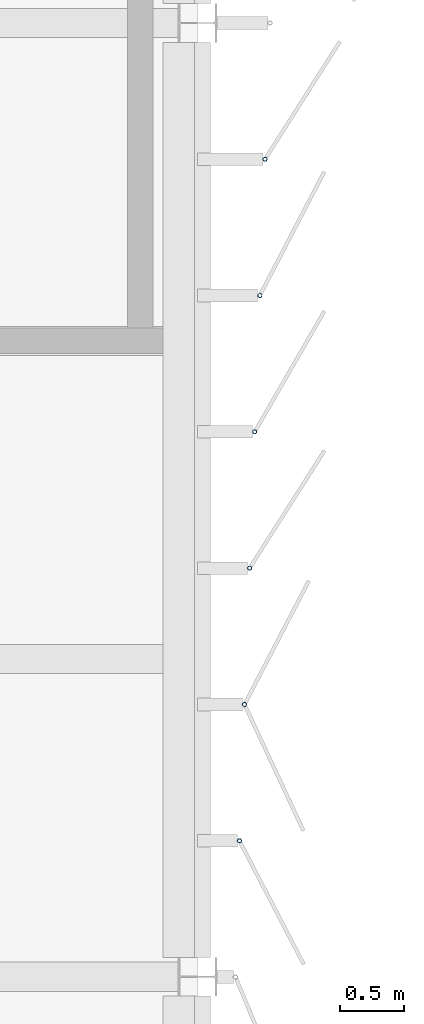
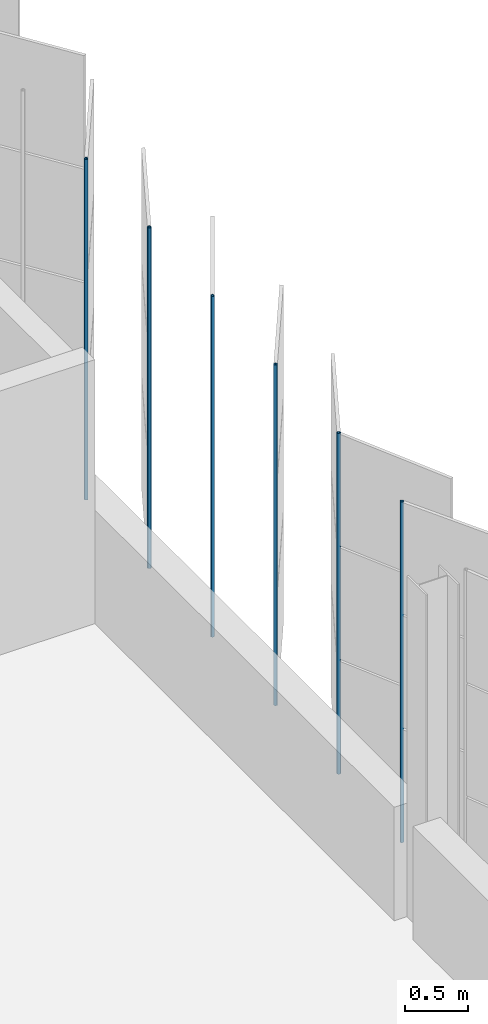
# One storey, part 119 of 199: 6 discrete accessories.
"""IFC4 building model written with IfcOpenShell, lengths in metres."""

from ifc_helpers import new_model, si_unit, direction, frame, origin, origin_2d, place, context, subcontext, project, spatial, hollow_circle, extrude, material, material_profile, profile_set, type_object, element, save


model = new_model("IFC4")

# Units and contexts
model_context = context("Model", 3, precision=1e-05, world=origin(), true_north=direction((0.0, 1.0)))
body_context = subcontext(model_context, "Body", "Model", "MODEL_VIEW")
ifc_project = project(units=[si_unit("LENGTHUNIT", "METRE"), si_unit("AREAUNIT", "SQUARE_METRE"), si_unit("VOLUMEUNIT", "CUBIC_METRE"), si_unit("PLANEANGLEUNIT", "RADIAN"), si_unit("MASSUNIT", "GRAM", prefix="KILO")], contexts=[model_context])

# Site, building, storey
site_placement = place(None, origin())
site = spatial("IfcSite", under=ifc_project, at=site_placement, CompositionType="ELEMENT")
building_placement = place(site_placement, origin())
building = spatial("IfcBuilding", under=site, at=building_placement, Name="Parallax Yard Mobility Hub", CompositionType="ELEMENT")
storey_placement = place(building_placement, frame((0.0, 0.0, 9.89990234375)))
storey = spatial("IfcBuildingStorey", under=building, at=storey_placement, Name="L03", CompositionType="ELEMENT", Elevation=9.89990234375)

# Discrete accessories
ifc_material = material(Name="Steel ASTM A500 Gr C, hot-dip galvanised", Category="steel")
ifc_material_profile = material_profile(ifc_material, hollow_circle(Radius=0.016845703125, WallThickness=0.003173828125, at=origin_2d()), Name="CHS 33.7x3.2")
ifc_profile_set = profile_set([ifc_material_profile], Name="Steel ASTM A500 Gr C, hot-dip galvanised")
discrete_accessory_type = type_object("IfcDiscreteAccessoryType", Name="Hinge post CHS 33.7x3.2", PredefinedType="BRACKET", material=ifc_profile_set)
for number, where, z_axis, x_axis, name in (
    (1, (225.330810546875, 76.06982421875, 0.0), (0.0, 0.0, 1.0), (1.0, 0.0, 0.0), "Hinge post bay 39.2 level L03"),
    (2, (225.370849609375, 77.1416015625, 0.0), (0.0, 0.0, 1.0), (1.0, 0.0, 0.0), "Hinge post bay 39.3 level L03"),
    (3, (225.410888671875, 78.21337890625, 0.0), (0.0, 0.0, 1.0), (1.0, 0.0, 0.0), "Hinge post bay 39.4 level L03"),
    (4, (225.450927734375, 79.28515625, 0.0), (0.0, 0.0, 1.0), (1.0, 0.0, 0.0), "Hinge post bay 39.5 level L03"),
    (5, (225.4912109375, 80.356689453125, 0.0), (0.0, 0.0, 1.0), (1.0, 0.0, 0.0), "Hinge post bay 39.6 level L03"),
    (6, (225.53125, 81.4287109375, 0.0), (0.0, 0.0, 1.0), (1.0, 0.0, 0.0), "Hinge post bay 39.7 level L03"),
):
    element("IfcDiscreteAccessory", number, at=place(storey_placement, frame(where, z_axis=z_axis, x_axis=x_axis)), inside=storey, type_object=discrete_accessory_type, Name=name, PredefinedType="BRACKET", context=body_context, shape_type="SweptSolid", body=[
        extrude(hollow_circle(Radius=0.016845703125, WallThickness=0.003173828125, at=origin_2d()), origin(), (0.0, 0.0, 1.0), 3.300048828125),
    ])

save(model, "model.ifc")
